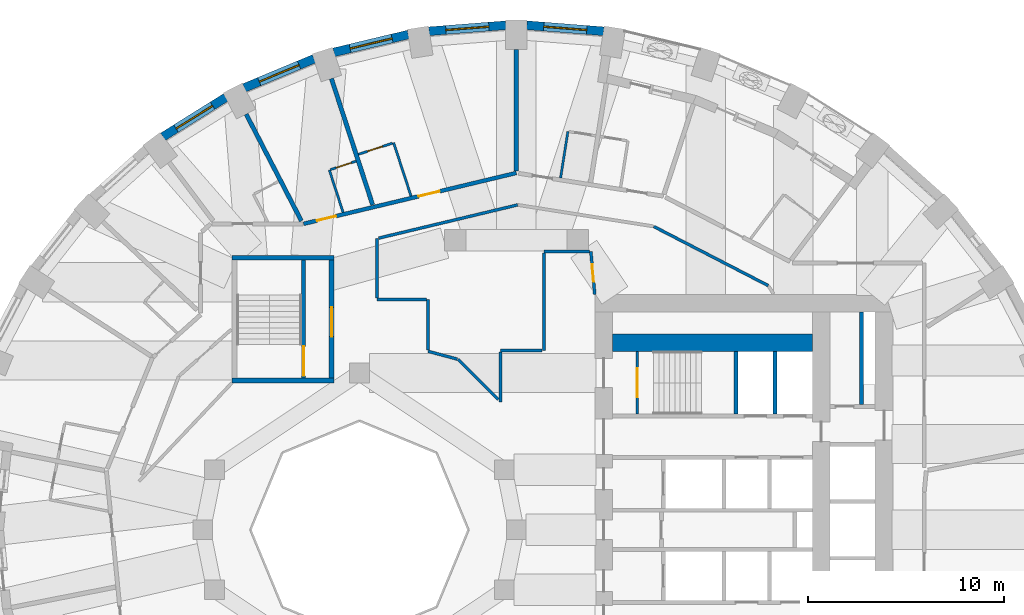
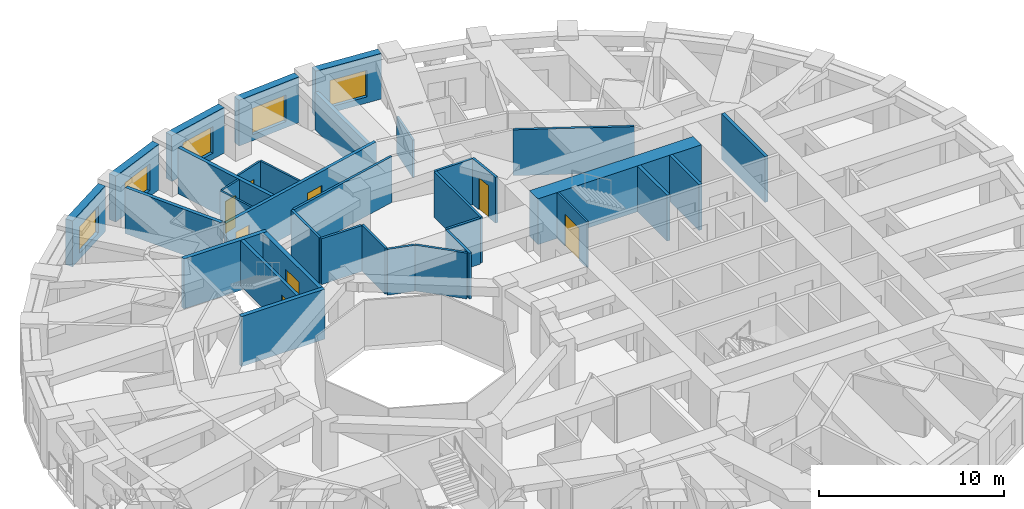
# One storey, part 8 of 13: 35 walls, 8 doors, 5 windows, 13 openings.
"""IFC4 building model written with IfcOpenShell, lengths in metres."""

from ifc_helpers import new_model, si_unit, direction, frame, frame_2d, origin, place, context, subcontext, project, spatial, rectangle, extrude, material, layer, layer_set, type_object, element, fill, save


model = new_model("IFC4")

# Units and contexts
model_context = context("Model", 3, precision=1e-05, world=origin(), true_north=direction((0.0, 1.0)))
body_context = subcontext(model_context, "Body", "Model", "MODEL_VIEW")
ifc_project = project(units=[si_unit("LENGTHUNIT", "METRE"), si_unit("AREAUNIT", "SQUARE_METRE"), si_unit("VOLUMEUNIT", "CUBIC_METRE"), si_unit("PLANEANGLEUNIT", "RADIAN"), si_unit("MASSUNIT", "GRAM", prefix="KILO")], contexts=[model_context])

# Site, building, storey
site_placement = place(None, origin())
site = spatial("IfcSite", under=ifc_project, at=site_placement, CompositionType="ELEMENT")
building_placement = place(site_placement, origin())
building = spatial("IfcBuilding", under=site, at=building_placement, Name="Taillehof Tower", CompositionType="ELEMENT")
storey_placement = place(building_placement, frame((0.0, 0.0, 67.89990234375)))
storey = spatial("IfcBuildingStorey", under=building, at=storey_placement, Name="L18", CompositionType="ELEMENT", Elevation=67.89990234375)

# Wall, opening, window
ifc_material_1 = material(Name="Brick masonry", Category="masonry")
ifc_layer_1 = layer(ifc_material_1, 0.449951171875)
ifc_layer_set_1 = layer_set([ifc_layer_1], Name="Brick infill wall 450")
wall_type_1 = type_object("IfcWallType", Name="Brick infill wall 450", PredefinedType="SOLIDWALL", material=ifc_layer_set_1)
wall_1_placement = place(storey_placement, frame((4.457275390625, 25.42578125, 0.0), z_axis=(0.0, 0.0, 1.0), x_axis=(-0.996955972145, 0.077966592873, 0.0)))
wall_1 = element("IfcWall", 1, at=wall_1_placement, inside=storey, type_object=wall_type_1, Name="Brick wall L18 bay 9", PredefinedType="SOLIDWALL", context=body_context, shape_type="SweptSolid", body=[
    extrude(rectangle(XDim=3.939208984375, YDim=0.449951171875, at=frame_2d((1.9697265625, 0.0))), origin(), (0.0, 0.0, 1.0), 3.02001953125),
])
opening_1_placement = place(wall_1_placement, frame((0.86962890625, 0.0, 0.39990234375)))
opening_1 = element("IfcOpeningElement", 2, at=opening_1_placement, cuts=wall_1, Name="Opening W1", PredefinedType="OPENING", context=body_context, shape_type="SweptSolid", body=[
    extrude(rectangle(XDim=2.199951171875, YDim=1.75, at=frame_2d((1.10009765625, 0.875))), frame((0.0, 0.23486328125, 0.0), z_axis=(0.0, -1.0, 0.0), x_axis=(1.0, 0.0, 0.0)), (0.0, 0.0, 1.0), 0.469970703125),
])
ifc_material_2 = material(Name="Aluminium window frame with clear double glazing", Category="aluminium")
window_type = type_object("IfcWindowType", Name="Deep-set window 2200x1750", PartitioningType="SINGLE_PANEL", PredefinedType="WINDOW", material=ifc_material_2)
window_1_placement = place(opening_1_placement, origin())
window_1 = element("IfcWindow", 3, at=window_1_placement, inside=storey, type_object=window_type, Name="W1", OverallHeight=1.75, OverallWidth=2.199951171875, PartitioningType="SINGLE_PANEL", PredefinedType="WINDOW", context=body_context, shape_type="SweptSolid", body=[
    extrude(rectangle(XDim=2.199951171875, YDim=1.75, at=frame_2d((1.10009765625, 0.875))), frame((0.0, 0.034912109375, 0.0), z_axis=(0.0, -1.0, 0.0), x_axis=(1.0, 0.0, 0.0)), (0.0, 0.0, 1.0), 0.06005859375),
])
fill(opening_1, window_1)

wall_2_placement = place(storey_placement, frame((-0.530029296875, 25.73291015625, 0.0), z_axis=(0.0, 0.0, 1.0), x_axis=(-0.996955972145, -0.077966592873, 0.0)))
wall_2 = element("IfcWall", 4, at=wall_2_placement, inside=storey, type_object=wall_type_1, Name="Brick wall L18 bay 10", PredefinedType="SOLIDWALL", context=body_context, shape_type="SweptSolid", body=[
    extrude(rectangle(XDim=3.939208984375, YDim=0.449951171875, at=frame_2d((1.9697265625, 0.0))), origin(), (0.0, 0.0, 1.0), 3.02001953125),
])
opening_2_placement = place(wall_2_placement, frame((0.86962890625, 0.0, 0.39990234375)))
opening_2 = element("IfcOpeningElement", 5, at=opening_2_placement, cuts=wall_2, Name="Opening W1", PredefinedType="OPENING", context=body_context, shape_type="SweptSolid", body=[
    extrude(rectangle(XDim=2.199951171875, YDim=1.75, at=frame_2d((1.10009765625, 0.875))), frame((0.0, 0.23486328125, 0.0), z_axis=(0.0, -1.0, 0.0), x_axis=(1.0, 0.0, 0.0)), (0.0, 0.0, 1.0), 0.469970703125),
])
window_2_placement = place(opening_2_placement, origin())
window_2 = element("IfcWindow", 6, at=window_2_placement, inside=storey, type_object=window_type, Name="W1", OverallHeight=1.75, OverallWidth=2.199951171875, PartitioningType="SINGLE_PANEL", PredefinedType="WINDOW", context=body_context, shape_type="SweptSolid", body=[
    extrude(rectangle(XDim=2.199951171875, YDim=1.75, at=frame_2d((1.10009765625, 0.875))), frame((0.0, 0.034912109375, 0.0), z_axis=(0.0, -1.0, 0.0), x_axis=(1.0, 0.0, 0.0)), (0.0, 0.0, 1.0), 0.06005859375),
])
fill(opening_2, window_2)

wall_3_placement = place(storey_placement, frame((-5.50439453125, 25.260498046875, 0.0), z_axis=(0.0, 0.0, 1.0), x_axis=(-0.972496561493, -0.232917233979, 0.0)))
wall_3 = element("IfcWall", 7, at=wall_3_placement, inside=storey, type_object=wall_type_1, Name="Brick wall L18 bay 11", PredefinedType="SOLIDWALL", context=body_context, shape_type="SweptSolid", body=[
    extrude(rectangle(XDim=3.910888671875, YDim=0.449951171875, at=frame_2d((1.95556640625, 0.0))), origin(), (0.0, 0.0, 1.0), 3.02001953125),
])
opening_3_placement = place(wall_3_placement, frame((0.855224609375, 0.0, 0.39990234375)))
opening_3 = element("IfcOpeningElement", 8, at=opening_3_placement, cuts=wall_3, Name="Opening W1", PredefinedType="OPENING", context=body_context, shape_type="SweptSolid", body=[
    extrude(rectangle(XDim=2.199951171875, YDim=1.75, at=frame_2d((1.10009765625, 0.875))), frame((0.0, 0.23486328125, 0.0), z_axis=(0.0, -1.0, 0.0), x_axis=(1.0, 0.0, 0.0)), (0.0, 0.0, 1.0), 0.469970703125),
])
window_3_placement = place(opening_3_placement, origin())
window_3 = element("IfcWindow", 9, at=window_3_placement, inside=storey, type_object=window_type, Name="W1", OverallHeight=1.75, OverallWidth=2.199951171875, PartitioningType="SINGLE_PANEL", PredefinedType="WINDOW", context=body_context, shape_type="SweptSolid", body=[
    extrude(rectangle(XDim=2.199951171875, YDim=1.75, at=frame_2d((1.10009765625, 0.875))), frame((0.0, 0.034912109375, 0.0), z_axis=(0.0, -1.0, 0.0), x_axis=(1.0, 0.0, 0.0)), (0.0, 0.0, 1.0), 0.06005859375),
])
fill(opening_3, window_3)

wall_4_placement = place(storey_placement, frame((-10.3154296875, 24.02099609375, 0.0), z_axis=(0.0, 0.0, 1.0), x_axis=(-0.923031964282, -0.384723267966, 0.0)))
wall_4 = element("IfcWall", 10, at=wall_4_placement, inside=storey, type_object=wall_type_1, Name="Brick wall L18 bay 12", PredefinedType="SOLIDWALL", context=body_context, shape_type="SweptSolid", body=[
    extrude(rectangle(XDim=3.8564453125, YDim=0.449951171875, at=frame_2d((1.92822265625, 0.0))), origin(), (0.0, 0.0, 1.0), 3.02001953125),
])
opening_4_placement = place(wall_4_placement, frame((0.828125, 0.0, 0.39990234375)))
opening_4 = element("IfcOpeningElement", 11, at=opening_4_placement, cuts=wall_4, Name="Opening W1", PredefinedType="OPENING", context=body_context, shape_type="SweptSolid", body=[
    extrude(rectangle(XDim=2.199951171875, YDim=1.75, at=frame_2d((1.10009765625, 0.875))), frame((0.0, 0.23486328125, 0.0), z_axis=(0.0, -1.0, 0.0), x_axis=(1.0, 0.0, 0.0)), (0.0, 0.0, 1.0), 0.469970703125),
])
window_4_placement = place(opening_4_placement, origin())
window_4 = element("IfcWindow", 12, at=window_4_placement, inside=storey, type_object=window_type, Name="W1", OverallHeight=1.75, OverallWidth=2.199951171875, PartitioningType="SINGLE_PANEL", PredefinedType="WINDOW", context=body_context, shape_type="SweptSolid", body=[
    extrude(rectangle(XDim=2.199951171875, YDim=1.75, at=frame_2d((1.10009765625, 0.875))), frame((0.0, 0.034912109375, 0.0), z_axis=(0.0, -1.0, 0.0), x_axis=(1.0, 0.0, 0.0)), (0.0, 0.0, 1.0), 0.06005859375),
])
fill(opening_4, window_4)

wall_5_placement = place(storey_placement, frame((-14.81689453125, 22.050537109375, 0.0), z_axis=(0.0, 0.0, 1.0), x_axis=(-0.847635480093, -0.530579016629, 0.0)))
wall_5 = element("IfcWall", 13, at=wall_5_placement, inside=storey, type_object=wall_type_1, Name="Brick wall L18 bay 13", PredefinedType="SOLIDWALL", context=body_context, shape_type="SweptSolid", body=[
    extrude(rectangle(XDim=3.782470703125, YDim=0.449951171875, at=frame_2d((1.89111328125, 0.0))), origin(), (0.0, 0.0, 1.0), 3.02001953125),
])
opening_5_placement = place(wall_5_placement, frame((0.791259765625, 0.0, 0.39990234375)))
opening_5 = element("IfcOpeningElement", 14, at=opening_5_placement, cuts=wall_5, Name="Opening W1", PredefinedType="OPENING", context=body_context, shape_type="SweptSolid", body=[
    extrude(rectangle(XDim=2.199951171875, YDim=1.75, at=frame_2d((1.10009765625, 0.875))), frame((0.0, 0.23486328125, 0.0), z_axis=(0.0, -1.0, 0.0), x_axis=(1.0, 0.0, 0.0)), (0.0, 0.0, 1.0), 0.469970703125),
])
window_5_placement = place(opening_5_placement, origin())
window_5 = element("IfcWindow", 15, at=window_5_placement, inside=storey, type_object=window_type, Name="W1", OverallHeight=1.75, OverallWidth=2.199951171875, PartitioningType="SINGLE_PANEL", PredefinedType="WINDOW", context=body_context, shape_type="SweptSolid", body=[
    extrude(rectangle(XDim=2.199951171875, YDim=1.75, at=frame_2d((1.10009765625, 0.875))), frame((0.0, 0.034912109375, 0.0), z_axis=(0.0, -1.0, 0.0), x_axis=(1.0, 0.0, 0.0)), (0.0, 0.0, 1.0), 0.06005859375),
])
fill(opening_5, window_5)

# Wall
ifc_material_3 = material(Name="Calcium silicate masonry", Category="masonry")
ifc_layer_2 = layer(ifc_material_3, 0.199951171875)
ifc_layer_set_2 = layer_set([ifc_layer_2], Name="Compartment wall calcium silicate 200")
wall_type_2 = type_object("IfcWallType", Name="Compartment wall calcium silicate 200", PredefinedType="PARTITIONING", material=ifc_layer_set_2)
wall_6_placement = place(storey_placement, frame((17.60009765625, 6.39990234375, 0.0), z_axis=(0.0, 0.0, 1.0), x_axis=(0.0, 1.0, 0.0)))
element("IfcWall", 16, at=wall_6_placement, inside=storey, type_object=wall_type_2, Name="Compartment wall FW", PredefinedType="PARTITIONING", context=body_context, shape_type="SweptSolid", body=[
    extrude(rectangle(XDim=4.7001953125, YDim=0.199951171875, at=frame_2d((2.35009765625, 0.0))), origin(), (0.0, 0.0, 1.0), 3.02001953125),
])

# Wall, openings, doors
ifc_material_4 = material(Name="Gypsum board on steel studs, two layers each side", Category="steel")
ifc_layer_3 = layer(ifc_material_4, 0.199951171875)
ifc_layer_set_3 = layer_set([ifc_layer_3], Name="Compartment wall corridor 200")
wall_type_3 = type_object("IfcWallType", Name="Compartment wall corridor 200", PredefinedType="PARTITIONING", material=ifc_layer_set_3)
wall_7_placement = place(storey_placement, frame((-10.8515625, 15.604736328125, 0.0), z_axis=(0.0, 0.0, 1.0), x_axis=(0.972573296372, 0.232596610431, 0.0)))
wall_7 = element("IfcWall", 17, at=wall_7_placement, inside=storey, type_object=wall_type_3, Name="Compartment wall", PredefinedType="PARTITIONING", context=body_context, shape_type="SweptSolid", body=[
    extrude(rectangle(XDim=11.157470703125, YDim=0.199951171875, at=frame_2d((5.57861328125, 0.0))), origin(), (0.0, 0.0, 1.0), 3.02001953125),
])
opening_6_placement = place(wall_7_placement, frame((6.029052734375, 0.0, 0.0)))
opening_6 = element("IfcOpeningElement", 18, at=opening_6_placement, cuts=wall_7, Name="Opening D1846", PredefinedType="OPENING", context=body_context, shape_type="SweptSolid", body=[
    extrude(rectangle(XDim=1.10009765625, YDim=2.10009765625, at=frame_2d((0.550048828125, 1.050048828125))), frame((0.0, 0.10986328125, 0.0), z_axis=(0.0, -1.0, 0.0), x_axis=(1.0, 0.0, 0.0)), (0.0, 0.0, 1.0), 0.219970703125),
])
opening_7_placement = place(wall_7_placement, frame((0.705078125, 0.0, 0.0)))
opening_7 = element("IfcOpeningElement", 19, at=opening_7_placement, cuts=wall_7, Name="Opening D1848", PredefinedType="OPENING", context=body_context, shape_type="SweptSolid", body=[
    extrude(rectangle(XDim=1.0, YDim=2.10009765625, at=frame_2d((0.5, 1.050048828125))), frame((0.0, 0.10986328125, 0.0), z_axis=(0.0, -1.0, 0.0), x_axis=(1.0, 0.0, 0.0)), (0.0, 0.0, 1.0), 0.219970703125),
])
ifc_material_5 = material(Name="Timber door leaf in steel frame", Category="steel")
door_type_1 = type_object("IfcDoorType", Name="Guest room door EI 30 1000 x 2100", OperationType="SINGLE_SWING_LEFT", PredefinedType="DOOR", material=ifc_material_5)
door_1_placement = place(opening_7_placement, origin())
door_1 = element("IfcDoor", 20, at=door_1_placement, inside=storey, type_object=door_type_1, Name="D1848", OperationType="SINGLE_SWING_RIGHT", OverallHeight=2.10009765625, OverallWidth=1.0, PredefinedType="DOOR", context=body_context, shape_type="SweptSolid", body=[
    extrude(rectangle(XDim=1.0, YDim=2.10009765625, at=frame_2d((0.5, 1.050048828125))), frame((0.0, 0.02490234375, 0.0), z_axis=(0.0, -1.0, 0.0), x_axis=(1.0, 0.0, 0.0)), (0.0, 0.0, 1.0), 0.050048828125),
])
fill(opening_7, door_1)
ifc_material_6 = material(Name="Timber door leaf in steel frame", Category="steel")
door_type_2 = type_object("IfcDoorType", Name="Suite entrance door EI 30 1100 x 2100", OperationType="SINGLE_SWING_LEFT", PredefinedType="DOOR", material=ifc_material_6)
door_2_placement = place(opening_6_placement, origin())
door_2 = element("IfcDoor", 21, at=door_2_placement, inside=storey, type_object=door_type_2, Name="D1846", OperationType="SINGLE_SWING_LEFT", OverallHeight=2.10009765625, OverallWidth=1.10009765625, PredefinedType="DOOR", context=body_context, shape_type="SweptSolid", body=[
    extrude(rectangle(XDim=1.10009765625, YDim=2.10009765625, at=frame_2d((0.550048828125, 1.050048828125))), frame((0.0, 0.02490234375, 0.0), z_axis=(0.0, -1.0, 0.0), x_axis=(1.0, 0.0, 0.0)), (0.0, 0.0, 1.0), 0.050048828125),
])
fill(opening_6, door_2)

# Walls
ifc_material_7 = material(Name="Gypsum board on double steel studs with mineral wool", Category="steel")
ifc_layer_4 = layer(ifc_material_7, 0.219970703125)
ifc_layer_set_4 = layer_set([ifc_layer_4], Name="Compartment wall guest room 220")
wall_type_4 = type_object("IfcWallType", Name="Compartment wall guest room 220", PredefinedType="PARTITIONING", material=ifc_layer_set_4)
wall_8_placement = place(storey_placement, frame((0.0, 24.5, 0.0), z_axis=(0.0, 0.0, 1.0), x_axis=(0.0, -1.0, 0.0)))
element("IfcWall", 22, at=wall_8_placement, inside=storey, type_object=wall_type_4, Name="Compartment wall", PredefinedType="PARTITIONING", context=body_context, shape_type="SweptSolid", body=[
    extrude(rectangle(XDim=6.199951171875, YDim=0.219970703125, at=frame_2d((3.10009765625, 0.0))), origin(), (0.0, 0.0, 1.0), 2.47021484375),
])
wall_9_placement = place(storey_placement, frame((-9.429443359375, 23.01416015625, 0.0), z_axis=(0.0, 0.0, 1.0), x_axis=(0.310223739243, -0.950663574357, 0.0)))
element("IfcWall", 23, at=wall_9_placement, inside=storey, type_object=wall_type_4, Name="Compartment wall", PredefinedType="PARTITIONING", context=body_context, shape_type="SweptSolid", body=[
    extrude(rectangle(XDim=6.777587890625, YDim=0.219970703125, at=frame_2d((3.388671875, 0.0))), origin(), (0.0, 0.0, 1.0), 3.02001953125),
])
wall_10_placement = place(storey_placement, frame((-13.7802734375, 21.201171875, 0.0), z_axis=(0.0, 0.0, 1.0), x_axis=(0.459699000582, -0.888074787878, 0.0)))
element("IfcWall", 24, at=wall_10_placement, inside=storey, type_object=wall_type_4, Name="Compartment wall", PredefinedType="PARTITIONING", context=body_context, shape_type="SweptSolid", body=[
    extrude(rectangle(XDim=6.134033203125, YDim=0.219970703125, at=frame_2d((3.06689453125, 0.0))), origin(), (0.0, 0.0, 1.0), 3.02001953125),
])

# Wall, opening, door
ifc_material_8 = material(Name="Gypsum board on steel studs, two layers each side", Category="steel")
ifc_layer_5 = layer(ifc_material_8, 0.14990234375)
ifc_layer_set_5 = layer_set([ifc_layer_5], Name="Compartment wall service room 150")
wall_type_5 = type_object("IfcWallType", Name="Compartment wall service room 150", PredefinedType="PARTITIONING", material=ifc_layer_set_5)
wall_11_placement = place(storey_placement, frame((4.0, 11.9990234375, 0.0), z_axis=(0.0, 0.0, 1.0), x_axis=(-0.090475982725, 0.995898637689, 0.0)))
wall_11 = element("IfcWall", 25, at=wall_11_placement, inside=storey, type_object=wall_type_5, Name="Compartment wall", PredefinedType="PARTITIONING", context=body_context, shape_type="SweptSolid", body=[
    extrude(rectangle(XDim=2.2099609375, YDim=0.14990234375, at=frame_2d((1.10498046875, 0.0))), origin(), (0.0, 0.0, 1.0), 3.02001953125),
])
opening_8_placement = place(wall_11_placement, frame((0.655029296875, 0.0, 0.0)))
opening_8 = element("IfcOpeningElement", 26, at=opening_8_placement, cuts=wall_11, Name="Opening D1879", PredefinedType="OPENING", context=body_context, shape_type="SweptSolid", body=[
    extrude(rectangle(XDim=0.89990234375, YDim=2.10009765625, at=frame_2d((0.449951171875, 1.050048828125))), frame((0.0, 0.0849609375, 0.0), z_axis=(0.0, -1.0, 0.0), x_axis=(1.0, 0.0, 0.0)), (0.0, 0.0, 1.0), 0.169921875),
])
ifc_material_9 = material(Name="Timber door leaf in steel frame", Category="steel")
door_type_3 = type_object("IfcDoorType", Name="Service room door EI 30 900 x 2100", OperationType="SINGLE_SWING_LEFT", PredefinedType="DOOR", material=ifc_material_9)
door_3_placement = place(opening_8_placement, origin())
door_3 = element("IfcDoor", 27, at=door_3_placement, inside=storey, type_object=door_type_3, Name="D1879", OperationType="SINGLE_SWING_RIGHT", OverallHeight=2.10009765625, OverallWidth=0.89990234375, PredefinedType="DOOR", context=body_context, shape_type="SweptSolid", body=[
    extrude(rectangle(XDim=0.89990234375, YDim=2.10009765625, at=frame_2d((0.449951171875, 1.050048828125))), frame((0.0, 0.02490234375, 0.0), z_axis=(0.0, -1.0, 0.0), x_axis=(1.0, 0.0, 0.0)), (0.0, 0.0, 1.0), 0.050048828125),
])
fill(opening_8, door_3)

# Walls
wall_12_placement = place(storey_placement, frame((3.719970703125, 14.199951171875, 0.0), z_axis=(0.0, 0.0, 1.0), x_axis=(-1.0, 0.0, 0.0)))
element("IfcWall", 28, at=wall_12_placement, inside=storey, type_object=wall_type_5, Name="Compartment wall", PredefinedType="PARTITIONING", context=body_context, shape_type="SweptSolid", body=[
    extrude(rectangle(XDim=2.320068359375, YDim=0.14990234375, at=frame_2d((1.16015625, 0.0))), origin(), (0.0, 0.0, 1.0), 3.02001953125),
])
wall_13_placement = place(storey_placement, frame((1.39990234375, 14.119873046875, 0.0), z_axis=(0.0, 0.0, 1.0), x_axis=(0.0, -1.0, 0.0)))
element("IfcWall", 29, at=wall_13_placement, inside=storey, type_object=wall_type_5, Name="Compartment wall", PredefinedType="PARTITIONING", context=body_context, shape_type="SweptSolid", body=[
    extrude(rectangle(XDim=4.969970703125, YDim=0.14990234375, at=frame_2d((2.48486328125, 0.0))), origin(), (0.0, 0.0, 1.0), 3.02001953125),
])
wall_14_placement = place(storey_placement, frame((1.31982421875, 9.14990234375, 0.0), z_axis=(0.0, 0.0, 1.0), x_axis=(-1.0, 0.0, 0.0)))
element("IfcWall", 30, at=wall_14_placement, inside=storey, type_object=wall_type_5, Name="Compartment wall", PredefinedType="PARTITIONING", context=body_context, shape_type="SweptSolid", body=[
    extrude(rectangle(XDim=2.119873046875, YDim=0.14990234375, at=frame_2d((1.06005859375, 0.0))), origin(), (0.0, 0.0, 1.0), 3.02001953125),
])
wall_15_placement = place(storey_placement, frame((-0.800048828125, 9.06982421875, 0.0), z_axis=(0.0, 0.0, 1.0), x_axis=(0.0, -1.0, 0.0)))
element("IfcWall", 31, at=wall_15_placement, inside=storey, type_object=wall_type_5, Name="Compartment wall", PredefinedType="PARTITIONING", context=body_context, shape_type="SweptSolid", body=[
    extrude(rectangle(XDim=2.552001953125, YDim=0.14990234375, at=frame_2d((1.27587890625, 0.0))), origin(), (0.0, 0.0, 1.0), 3.02001953125),
])
wall_16_placement = place(storey_placement, frame((-0.927490234375, 6.645263671875, 0.0), z_axis=(0.0, 0.0, 1.0), x_axis=(-0.707106781187, 0.707106781187, 0.0)))
element("IfcWall", 32, at=wall_16_placement, inside=storey, type_object=wall_type_5, Name="Compartment wall", PredefinedType="PARTITIONING", context=body_context, shape_type="SweptSolid", body=[
    extrude(rectangle(XDim=2.9013671875, YDim=0.14990234375, at=frame_2d((1.45068359375, 0.0))), origin(), (0.0, 0.0, 1.0), 3.02001953125),
])
wall_17_placement = place(storey_placement, frame((-3.017578125, 8.70703125, 0.0), z_axis=(0.0, 0.0, 1.0), x_axis=(-0.965925329025, 0.25882090091, 0.0)))
element("IfcWall", 33, at=wall_17_placement, inside=storey, type_object=wall_type_5, Name="Compartment wall", PredefinedType="PARTITIONING", context=body_context, shape_type="SweptSolid", body=[
    extrude(rectangle(XDim=1.53466796875, YDim=0.14990234375, at=frame_2d((0.767333984375, 0.0))), origin(), (0.0, 0.0, 1.0), 3.02001953125),
])
wall_18_placement = place(storey_placement, frame((-4.5, 9.184326171875, 0.0), z_axis=(0.0, 0.0, 1.0), x_axis=(0.0, 1.0, 0.0)))
element("IfcWall", 34, at=wall_18_placement, inside=storey, type_object=wall_type_5, Name="Compartment wall", PredefinedType="PARTITIONING", context=body_context, shape_type="SweptSolid", body=[
    extrude(rectangle(XDim=2.565673828125, YDim=0.14990234375, at=frame_2d((1.28271484375, 0.0))), origin(), (0.0, 0.0, 1.0), 3.02001953125),
])
wall_19_placement = place(storey_placement, frame((-4.580078125, 11.75, 0.0), z_axis=(0.0, 0.0, 1.0), x_axis=(-1.0, 0.0, 0.0)))
element("IfcWall", 35, at=wall_19_placement, inside=storey, type_object=wall_type_5, Name="Compartment wall", PredefinedType="PARTITIONING", context=body_context, shape_type="SweptSolid", body=[
    extrude(rectangle(XDim=2.52001953125, YDim=0.14990234375, at=frame_2d((1.260009765625, 0.0))), origin(), (0.0, 0.0, 1.0), 3.02001953125),
])
wall_20_placement = place(storey_placement, frame((-7.10009765625, 11.830078125, 0.0), z_axis=(0.0, 0.0, 1.0), x_axis=(0.0, 1.0, 0.0)))
element("IfcWall", 36, at=wall_20_placement, inside=storey, type_object=wall_type_5, Name="Compartment wall", PredefinedType="PARTITIONING", context=body_context, shape_type="SweptSolid", body=[
    extrude(rectangle(XDim=3.026611328125, YDim=0.14990234375, at=frame_2d((1.51318359375, 0.0))), origin(), (0.0, 0.0, 1.0), 3.02001953125),
])
wall_21_placement = place(storey_placement, frame((-7.02197265625, 14.875244140625, 0.0), z_axis=(0.0, 0.0, 1.0), x_axis=(0.972565872543, 0.232627650043, 0.0)))
element("IfcWall", 37, at=wall_21_placement, inside=storey, type_object=wall_type_5, Name="Compartment wall", PredefinedType="PARTITIONING", context=body_context, shape_type="SweptSolid", body=[
    extrude(rectangle(XDim=7.28564453125, YDim=0.14990234375, at=frame_2d((3.642822265625, 0.0))), origin(), (0.0, 0.0, 1.0), 3.02001953125),
])
wall_22_placement = place(storey_placement, frame((7.011962890625, 15.46728515625, 0.0), z_axis=(0.0, 0.0, 1.0), x_axis=(0.888509096081, -0.458859004685, 0.0)))
element("IfcWall", 38, at=wall_22_placement, inside=storey, type_object=wall_type_5, Name="Compartment wall", PredefinedType="PARTITIONING", context=body_context, shape_type="SweptSolid", body=[
    extrude(rectangle(XDim=6.561279296875, YDim=0.14990234375, at=frame_2d((3.28076171875, 0.0))), origin(), (0.0, 0.0, 1.0), 3.02001953125),
])
ifc_material_10 = material(Name="Concrete C80/95", Category="concrete")
ifc_layer_6 = layer(ifc_material_10, 0.89990234375)
ifc_layer_set_6 = layer_set([ifc_layer_6], Name="Core wall C80/95 900")
wall_type_6 = type_object("IfcWallType", Name="Core wall C80/95 900", PredefinedType="SHEAR", material=ifc_layer_set_6)
wall_23_placement = place(storey_placement, frame((4.89990234375, 9.550048828125, 0.0), z_axis=(0.0, 0.0, 1.0), x_axis=(1.0, 0.0, 0.0)))
element("IfcWall", 39, at=wall_23_placement, inside=storey, type_object=wall_type_6, Name="Core wall CW06", PredefinedType="SHEAR", context=body_context, shape_type="SweptSolid", body=[
    extrude(rectangle(XDim=10.2001953125, YDim=0.89990234375, at=frame_2d((5.10009765625, 0.0))), origin(), (0.0, 0.0, 1.0), 3.02001953125),
])
ifc_material_11 = material(Name="Gypsum board on steel studs, moisture resistant", Category="steel")
ifc_layer_7 = layer(ifc_material_11, 0.1201171875)
ifc_layer_set_7 = layer_set([ifc_layer_7], Name="En-suite wall 120")
wall_type_7 = type_object("IfcWallType", Name="En-suite wall 120", PredefinedType="PARTITIONING", material=ifc_layer_set_7)
wall_24_placement = place(storey_placement, frame((2.255615234375, 17.9453125, 0.0), z_axis=(0.0, 0.0, 1.0), x_axis=(0.156114026572, 0.987739039781, 0.0)))
element("IfcWall", 40, at=wall_24_placement, inside=storey, type_object=wall_type_7, Name="En-suite wall", PredefinedType="PARTITIONING", context=body_context, shape_type="SweptSolid", body=[
    extrude(rectangle(XDim=2.400634765625, YDim=0.1201171875, at=frame_2d((1.2001953125, 0.0))), origin(), (0.0, 0.0, 1.0), 2.47021484375),
])
wall_25_placement = place(storey_placement, frame((-5.369140625, 17.018798828125, 0.0), z_axis=(0.0, 0.0, 1.0), x_axis=(-0.310231838646, 0.950660931295, 0.0)))
element("IfcWall", 41, at=wall_25_placement, inside=storey, type_object=wall_type_7, Name="En-suite wall", PredefinedType="PARTITIONING", context=body_context, shape_type="SweptSolid", body=[
    extrude(rectangle(XDim=2.861328125, YDim=0.1201171875, at=frame_2d((1.4306640625, 0.0))), origin(), (0.0, 0.0, 1.0), 3.02001953125),
])
wall_26_placement = place(storey_placement, frame((-8.8330078125, 16.190185546875, 0.0), z_axis=(0.0, 0.0, 1.0), x_axis=(-0.310231525188, 0.950661033586, 0.0)))
element("IfcWall", 42, at=wall_26_placement, inside=storey, type_object=wall_type_7, Name="En-suite wall", PredefinedType="PARTITIONING", context=body_context, shape_type="SweptSolid", body=[
    extrude(rectangle(XDim=2.2744140625, YDim=0.1201171875, at=frame_2d((1.13720703125, 0.0))), origin(), (0.0, 0.0, 1.0), 3.02001953125),
])

# Wall, opening, door
wall_27_placement = place(storey_placement, frame((-6.31396484375, 19.720458984375, 0.0), z_axis=(0.0, 0.0, 1.0), x_axis=(-0.950639191072, -0.310298450524, 0.0)))
wall_27 = element("IfcWall", 43, at=wall_27_placement, inside=storey, type_object=wall_type_7, Name="En-suite wall", PredefinedType="PARTITIONING", context=body_context, shape_type="SweptSolid", body=[
    extrude(rectangle(XDim=1.830078125, YDim=0.1201171875, at=frame_2d((0.9150390625, 0.0))), origin(), (0.0, 0.0, 1.0), 3.02001953125),
])
opening_9_placement = place(wall_27_placement, frame((0.5400390625, 0.0, 0.0)))
opening_9 = element("IfcOpeningElement", 44, at=opening_9_placement, cuts=wall_27, Name="Opening D1847", PredefinedType="OPENING", context=body_context, shape_type="SweptSolid", body=[
    extrude(rectangle(XDim=0.800048828125, YDim=2.10009765625, at=frame_2d((0.39990234375, 1.050048828125))), frame((0.0, 0.070068359375, 0.0), z_axis=(0.0, -1.0, 0.0), x_axis=(1.0, 0.0, 0.0)), (0.0, 0.0, 1.0), 0.14013671875),
])
ifc_material_12 = material(Name="Timber door leaf in steel frame", Category="steel")
door_type_4 = type_object("IfcDoorType", Name="En-suite door 800 x 2100", OperationType="SINGLE_SWING_LEFT", PredefinedType="DOOR", material=ifc_material_12)
door_4_placement = place(opening_9_placement, origin())
door_4 = element("IfcDoor", 45, at=door_4_placement, inside=storey, type_object=door_type_4, Name="D1847", OperationType="SINGLE_SWING_LEFT", OverallHeight=2.10009765625, OverallWidth=0.800048828125, PredefinedType="DOOR", context=body_context, shape_type="SweptSolid", body=[
    extrude(rectangle(XDim=0.800048828125, YDim=2.10009765625, at=frame_2d((0.39990234375, 1.050048828125))), frame((0.0, 0.02490234375, 0.0), z_axis=(0.0, -1.0, 0.0), x_axis=(1.0, 0.0, 0.0)), (0.0, 0.0, 1.0), 0.050048828125),
])
fill(opening_9, door_4)

wall_28_placement = place(storey_placement, frame((-9.4814453125, 18.37060546875, 0.0), z_axis=(0.0, 0.0, 1.0), x_axis=(0.950576687533, 0.310489872812, 0.0)))
wall_28 = element("IfcWall", 46, at=wall_28_placement, inside=storey, type_object=wall_type_7, Name="En-suite wall", PredefinedType="PARTITIONING", context=body_context, shape_type="SweptSolid", body=[
    extrude(rectangle(XDim=1.3798828125, YDim=0.1201171875, at=frame_2d((0.68994140625, 0.0))), origin(), (0.0, 0.0, 1.0), 3.02001953125),
])
opening_10_placement = place(wall_28_placement, frame((0.31494140625, 0.0, 0.0)))
opening_10 = element("IfcOpeningElement", 47, at=opening_10_placement, cuts=wall_28, Name="Opening D1849", PredefinedType="OPENING", context=body_context, shape_type="SweptSolid", body=[
    extrude(rectangle(XDim=0.800048828125, YDim=2.10009765625, at=frame_2d((0.39990234375, 1.050048828125))), frame((0.0, 0.070068359375, 0.0), z_axis=(0.0, -1.0, 0.0), x_axis=(1.0, 0.0, 0.0)), (0.0, 0.0, 1.0), 0.14013671875),
])
door_5_placement = place(opening_10_placement, origin())
door_5 = element("IfcDoor", 48, at=door_5_placement, inside=storey, type_object=door_type_4, Name="D1849", OperationType="SINGLE_SWING_RIGHT", OverallHeight=2.10009765625, OverallWidth=0.800048828125, PredefinedType="DOOR", context=body_context, shape_type="SweptSolid", body=[
    extrude(rectangle(XDim=0.800048828125, YDim=2.10009765625, at=frame_2d((0.39990234375, 1.050048828125))), frame((0.0, 0.02490234375, 0.0), z_axis=(0.0, -1.0, 0.0), x_axis=(1.0, 0.0, 0.0)), (0.0, 0.0, 1.0), 0.050048828125),
])
fill(opening_10, door_5)

# Walls
ifc_material_13 = material(Name="Concrete C50/60", Category="concrete")
ifc_layer_8 = layer(ifc_material_13, 0.199951171875)
ifc_layer_set_8 = layer_set([ifc_layer_8], Name="Shaft wall C50/60 200")
wall_type_8 = type_object("IfcWallType", Name="Shaft wall C50/60 200", PredefinedType="SHEAR", material=ifc_layer_set_8)
for number, where, z_axis, x_axis, name in (
    (49, (11.199951171875, 5.89990234375, 0.0), (0.0, 0.0, 1.0), (0.0, 1.0, 0.0), "Shaft wall SW"),
    (50, (13.199951171875, 5.89990234375, 0.0), (0.0, 0.0, 1.0), (0.0, 1.0, 0.0), "Shaft wall SW"),
):
    element("IfcWall", number, at=place(storey_placement, frame(where, z_axis=z_axis, x_axis=x_axis)), inside=storey, type_object=wall_type_8, Name=name, PredefinedType="SHEAR", context=body_context, shape_type="SweptSolid", body=[
        extrude(rectangle(XDim=3.2001953125, YDim=0.199951171875, at=frame_2d((1.60009765625, 0.0))), origin(), (0.0, 0.0, 1.0), 3.02001953125),
    ])

# Wall, opening, door
wall_29_placement = place(storey_placement, frame((-10.85009765625, 7.75, 0.0), z_axis=(0.0, 0.0, 1.0), x_axis=(0.0, 1.0, 0.0)))
wall_29 = element("IfcWall", 51, at=wall_29_placement, inside=storey, type_object=wall_type_8, Name="Shaft wall SW", PredefinedType="SHEAR", context=body_context, shape_type="SweptSolid", body=[
    extrude(rectangle(XDim=6.0, YDim=0.199951171875, at=frame_2d((3.0, 0.0))), origin(), (0.0, 0.0, 1.0), 3.02001953125),
])
opening_11_placement = place(wall_29_placement, frame((0.10009765625, 0.0, 0.0)))
opening_11 = element("IfcOpeningElement", 52, at=opening_11_placement, cuts=wall_29, Name="Opening D1812", PredefinedType="OPENING", context=body_context, shape_type="SweptSolid", body=[
    extrude(rectangle(XDim=1.5, YDim=2.10009765625, at=frame_2d((0.75, 1.050048828125))), frame((0.0, 0.10986328125, 0.0), z_axis=(0.0, -1.0, 0.0), x_axis=(1.0, 0.0, 0.0)), (0.0, 0.0, 1.0), 0.219970703125),
])
ifc_material_14 = material(Name="Steel-faced fire door", Category="steel")
door_type_5 = type_object("IfcDoorType", Name="Stair door 1500x2100", OperationType="DOUBLE_DOOR_SINGLE_SWING", PredefinedType="DOOR", material=ifc_material_14)
door_6_placement = place(opening_11_placement, origin())
door_6 = element("IfcDoor", 53, at=door_6_placement, inside=storey, type_object=door_type_5, Name="Stair lobby door S3", OperationType="DOUBLE_DOOR_SINGLE_SWING", OverallHeight=2.10009765625, OverallWidth=1.5, PredefinedType="DOOR", context=body_context, shape_type="SweptSolid", body=[
    extrude(rectangle(XDim=1.5, YDim=2.10009765625, at=frame_2d((0.75, 1.050048828125))), frame((0.0, 0.02490234375, 0.0), z_axis=(0.0, -1.0, 0.0), x_axis=(1.0, 0.0, 0.0)), (0.0, 0.0, 1.0), 0.050048828125),
])
fill(opening_11, door_6)

ifc_material_15 = material(Name="Concrete C50/60", Category="concrete")
ifc_layer_9 = layer(ifc_material_15, 0.1201171875)
ifc_layer_set_9 = layer_set([ifc_layer_9], Name="Stair lobby wall C50/60 120")
wall_type_9 = type_object("IfcWallType", Name="Stair lobby wall C50/60 120", PredefinedType="SHEAR", material=ifc_layer_set_9)
wall_30_placement = place(storey_placement, frame((6.159912109375, 5.89990234375, 0.0), z_axis=(0.0, 0.0, 1.0), x_axis=(0.0, 1.0, 0.0)))
wall_30 = element("IfcWall", 54, at=wall_30_placement, inside=storey, type_object=wall_type_9, Name="Compartment wall SW", PredefinedType="SHEAR", context=body_context, shape_type="SweptSolid", body=[
    extrude(rectangle(XDim=3.2001953125, YDim=0.1201171875, at=frame_2d((1.60009765625, 0.0))), origin(), (0.0, 0.0, 1.0), 3.02001953125),
])
opening_12_placement = place(wall_30_placement, frame((0.85009765625, 0.0, 0.0)))
opening_12 = element("IfcOpeningElement", 55, at=opening_12_placement, cuts=wall_30, Name="Opening D1810", PredefinedType="OPENING", context=body_context, shape_type="SweptSolid", body=[
    extrude(rectangle(XDim=1.5, YDim=2.10009765625, at=frame_2d((0.75, 1.050048828125))), frame((0.0, 0.070068359375, 0.0), z_axis=(0.0, -1.0, 0.0), x_axis=(1.0, 0.0, 0.0)), (0.0, 0.0, 1.0), 0.14013671875),
])
door_7_placement = place(opening_12_placement, origin())
door_7 = element("IfcDoor", 56, at=door_7_placement, inside=storey, type_object=door_type_5, Name="Stair lobby door S1", OperationType="DOUBLE_DOOR_SINGLE_SWING", OverallHeight=2.10009765625, OverallWidth=1.5, PredefinedType="DOOR", context=body_context, shape_type="SweptSolid", body=[
    extrude(rectangle(XDim=1.5, YDim=2.10009765625, at=frame_2d((0.75, 1.050048828125))), frame((0.0, 0.02490234375, 0.0), z_axis=(0.0, -1.0, 0.0), x_axis=(1.0, 0.0, 0.0)), (0.0, 0.0, 1.0), 0.050048828125),
])
fill(opening_12, door_7)

ifc_material_16 = material(Name="Concrete C50/60", Category="concrete")
ifc_layer_10 = layer(ifc_material_16, 0.25)
ifc_layer_set_10 = layer_set([ifc_layer_10], Name="Stair wall C50/60 250")
wall_type_10 = type_object("IfcWallType", Name="Stair wall C50/60 250", PredefinedType="SHEAR", material=ifc_layer_set_10)
wall_31_placement = place(storey_placement, frame((-9.425048828125, 7.75, -0.27978515625), z_axis=(0.0, 0.0, 1.0), x_axis=(0.0, 1.0, 0.0)))
wall_31 = element("IfcWall", 57, at=wall_31_placement, inside=storey, type_object=wall_type_10, Name="Stair wall SC", PredefinedType="SHEAR", context=body_context, shape_type="SweptSolid", body=[
    extrude(rectangle(XDim=6.0, YDim=0.25, at=frame_2d((3.0, 0.0))), origin(), (0.0, 0.0, 1.0), 3.2998046875),
])
opening_13_placement = place(wall_31_placement, frame((2.10009765625, 0.0, 0.280029296875)))
opening_13 = element("IfcOpeningElement", 58, at=opening_13_placement, cuts=wall_31, Name="Opening D1819", PredefinedType="OPENING", context=body_context, shape_type="SweptSolid", body=[
    extrude(rectangle(XDim=1.5, YDim=2.10009765625, at=frame_2d((0.75, 1.050048828125))), frame((0.0, 0.135009765625, 0.0), z_axis=(0.0, -1.0, 0.0), x_axis=(1.0, 0.0, 0.0)), (0.0, 0.0, 1.0), 0.27001953125),
])
door_8_placement = place(opening_13_placement, origin())
door_8 = element("IfcDoor", 59, at=door_8_placement, inside=storey, type_object=door_type_5, Name="Stair door S3", OperationType="DOUBLE_DOOR_SINGLE_SWING", OverallHeight=2.10009765625, OverallWidth=1.5, PredefinedType="DOOR", context=body_context, shape_type="SweptSolid", body=[
    extrude(rectangle(XDim=1.5, YDim=2.10009765625, at=frame_2d((0.75, 1.050048828125))), frame((0.0, 0.02490234375, 0.0), z_axis=(0.0, -1.0, 0.0), x_axis=(1.0, 0.0, 0.0)), (0.0, 0.0, 1.0), 0.050048828125),
])
fill(opening_13, door_8)

# Walls
for number, where, z_axis, x_axis, name in (
    (60, (-14.5, 13.875, -0.27978515625), (0.0, 0.0, 1.0), (1.0, 0.0, 0.0), "Stair wall SC"),
    (61, (-14.5, 7.625, -0.27978515625), (0.0, 0.0, 1.0), (1.0, 0.0, 0.0), "Stair wall SC"),
):
    element("IfcWall", number, at=place(storey_placement, frame(where, z_axis=z_axis, x_axis=x_axis)), inside=storey, type_object=wall_type_10, Name=name, PredefinedType="SHEAR", context=body_context, shape_type="SweptSolid", body=[
        extrude(rectangle(XDim=5.199951171875, YDim=0.25, at=frame_2d((2.60009765625, 0.0))), origin(), (0.0, 0.0, 1.0), 3.2998046875),
    ])

save(model, "model.ifc")
